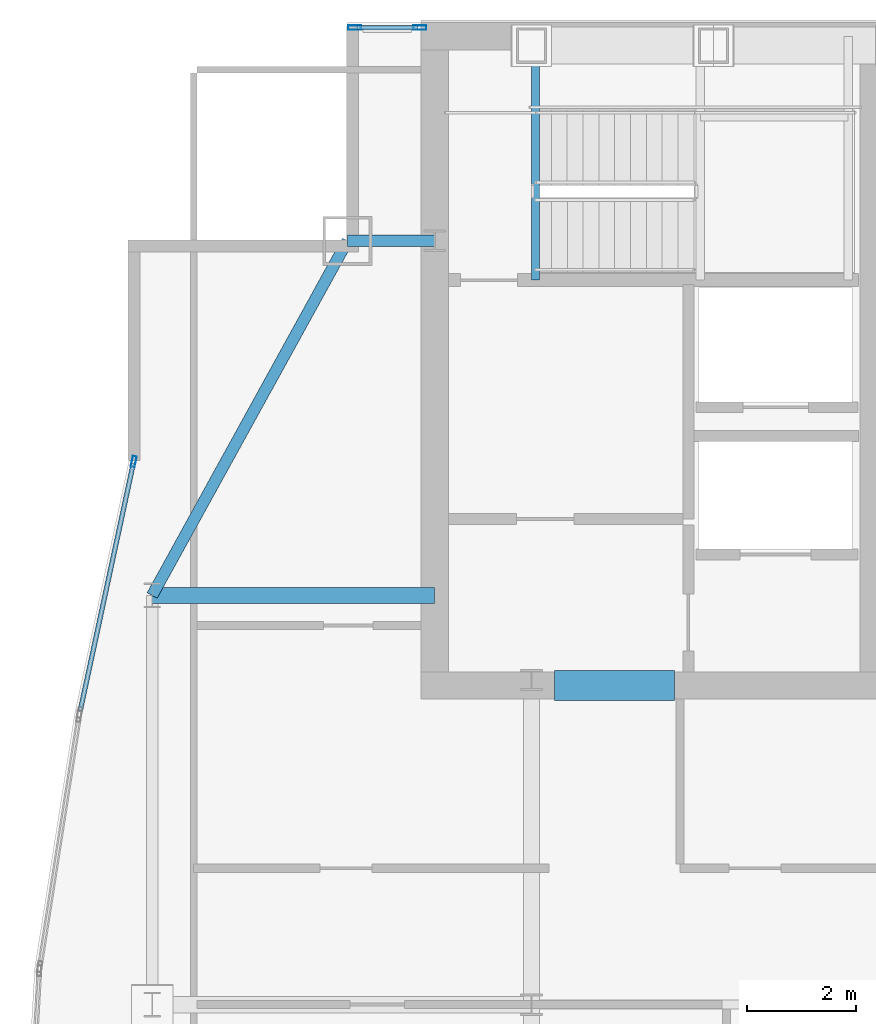
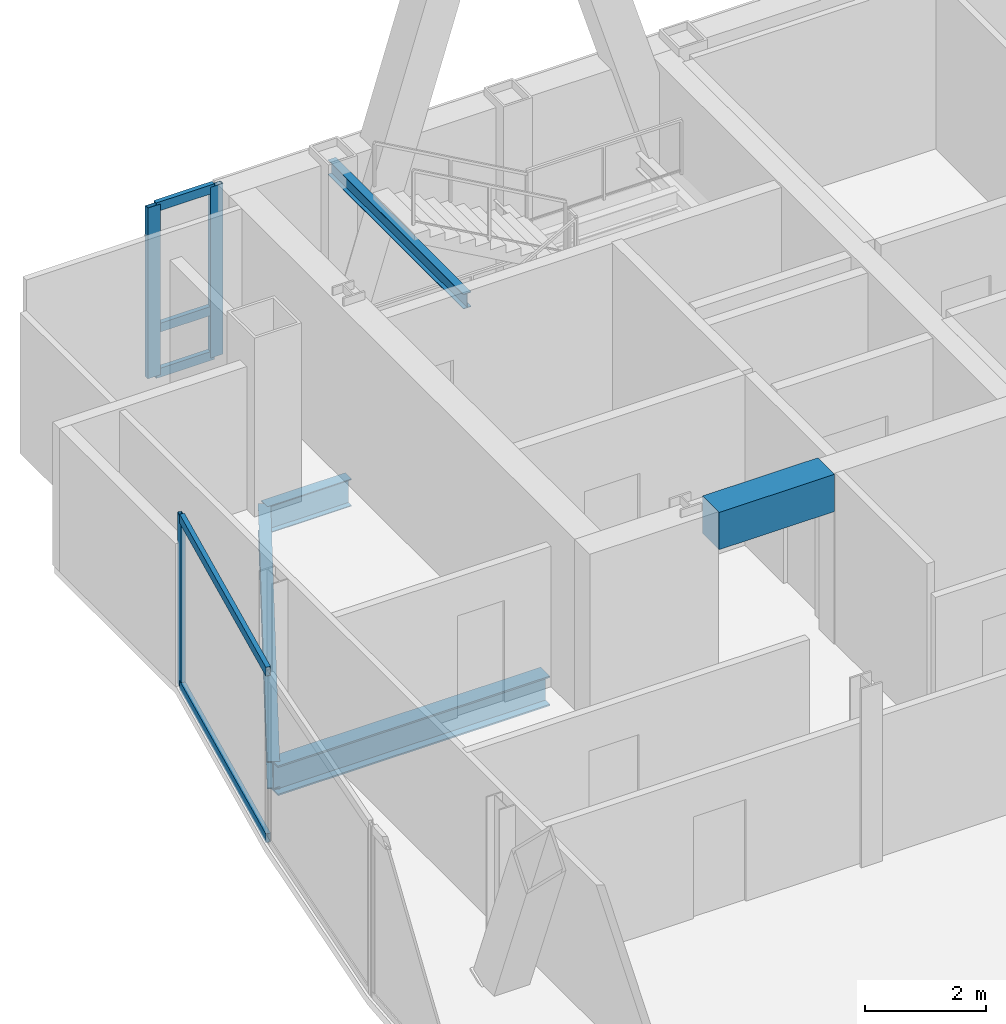
# One storey, part 20 of 29: 8 members, 5 beams, 2 elements without a shape of their own.
"""IFC4 building model written with IfcOpenShell, lengths in metres."""

from ifc_helpers import new_model, si_unit, direction, frame, origin, origin_2d, place, context, subcontext, project, spatial, rectangle, hollow_rectangle, i_section, extrude, material, material_profile, profile_set, type_object, element, aggregate, save


model = new_model("IFC4")

# Units and contexts
model_context = context("Model", 3, precision=1e-05, world=origin(), true_north=direction((0.0, 1.0)))
body_context = subcontext(model_context, "Body", "Model", "MODEL_VIEW")
ifc_project = project(units=[si_unit("LENGTHUNIT", "METRE"), si_unit("AREAUNIT", "SQUARE_METRE"), si_unit("VOLUMEUNIT", "CUBIC_METRE"), si_unit("PLANEANGLEUNIT", "RADIAN"), si_unit("MASSUNIT", "GRAM", prefix="KILO")], contexts=[model_context])

# Site, building, storey
site_placement = place(None, origin())
site = spatial("IfcSite", under=ifc_project, at=site_placement, CompositionType="ELEMENT")
building_placement = place(site_placement, origin())
building = spatial("IfcBuilding", under=site, at=building_placement, Name="Khoronbel Lancet Exchange", CompositionType="ELEMENT")
storey_placement = place(building_placement, frame((0.0, 0.0, 314.60009765625)))
storey = spatial("IfcBuildingStorey", under=building, at=storey_placement, Name="L81", CompositionType="ELEMENT", Elevation=314.60009765625)

# Beams
ifc_material_1 = material(Name="Steel S355", Category="steel")
ifc_material_profile_1 = material_profile(ifc_material_1, i_section(OverallWidth=0.300048828125, OverallDepth=0.60009765625, WebThickness=0.015380859375, FlangeThickness=0.030029296875, at=origin_2d()), Name="HEB 600")
ifc_profile_set_1 = profile_set([ifc_material_profile_1], Name="Steel S355")
beam_type_1 = type_object("IfcBeamType", Name="BM-BG5", PredefinedType="BEAM", material=ifc_profile_set_1)
beam_1_placement = place(storey_placement, frame((11.27001953125, 43.199951171875, -0.460205078125), z_axis=(1.0, 0.0, 0.0), x_axis=(0.0, 1.0, 0.0)))
element("IfcBeam", 1, at=beam_1_placement, inside=storey, type_object=beam_type_1, Name="Level L81 west lens tie girder LG3W", PredefinedType="BEAM", context=body_context, shape_type="SweptSolid", body=[
    extrude(i_section(OverallWidth=0.300048828125, OverallDepth=0.60009765625, WebThickness=0.015380859375, FlangeThickness=0.030029296875, at=origin_2d()), origin(), (0.0, 0.0, 1.0), 5.179931640625),
])
ifc_material_profile_2 = material_profile(ifc_material_1, i_section(OverallWidth=0.14990234375, OverallDepth=0.300048828125, WebThickness=0.007080078125, FlangeThickness=0.0107421875, at=origin_2d()), Name="IPE 300")
ifc_profile_set_2 = profile_set([ifc_material_profile_2], Name="Steel S355")
beam_type_2 = type_object("IfcBeamType", Name="BM-BJ8", PredefinedType="JOIST", material=ifc_profile_set_2)
beam_2_placement = place(storey_placement, frame((18.300048828125, 48.97998046875, 3.159912109375), z_axis=(0.0, 1.0, 0.0), x_axis=(-1.0, 0.0, 0.0)))
element("IfcBeam", 2, at=beam_2_placement, inside=storey, type_object=beam_type_2, Name="Level L81 stair ST1 upper-flight arrival trimmer beam", PredefinedType="JOIST", context=body_context, shape_type="SweptSolid", body=[
    extrude(i_section(OverallWidth=0.14990234375, OverallDepth=0.300048828125, WebThickness=0.007080078125, FlangeThickness=0.0107421875, at=origin_2d()), origin(), (0.0, 0.0, 1.0), 4.469970703125),
])
ifc_material_2 = material(Name="Concrete C60/75", Category="concrete")
ifc_material_profile_3 = material_profile(ifc_material_2, rectangle(XDim=0.550048828125, YDim=0.75, at=origin_2d()), Name="RC 550x750")
ifc_profile_set_3 = profile_set([ifc_material_profile_3], Name="Concrete C60/75")
beam_type_3 = type_object("IfcBeamType", Name="BM-BL2", PredefinedType="LINTEL", material=ifc_profile_set_3)
beam_3_placement = place(storey_placement, frame((18.64990234375, 41.550048828125, 3.06494140625), z_axis=(1.0, 0.0, 0.0), x_axis=(0.0, 1.0, 0.0)))
element("IfcBeam", 3, at=beam_3_placement, inside=storey, type_object=beam_type_3, Name="Level L81 rear core coupling lintel L1", PredefinedType="LINTEL", context=body_context, shape_type="SweptSolid", body=[
    extrude(rectangle(XDim=0.550048828125, YDim=0.75, at=origin_2d()), origin(), (0.0, 0.0, 1.0), 2.2001953125),
])
ifc_material_profile_4 = material_profile(ifc_material_1, i_section(OverallWidth=0.2099609375, OverallDepth=0.550048828125, WebThickness=0.010986328125, FlangeThickness=0.01708984375, at=origin_2d()), Name="IPE 550")
ifc_profile_set_4 = profile_set([ifc_material_profile_4], Name="Steel S355")
beam_type_4 = type_object("IfcBeamType", Name="BM-BSP3", PredefinedType="SPANDREL", material=ifc_profile_set_4)
beam_4_placement = place(storey_placement, frame((14.85009765625, 49.699951171875, -0.43505859375), z_axis=(-0.482444051088, -0.875926787791, 0.0), x_axis=(0.875926787791, -0.482444051088, 0.0)))
element("IfcBeam", 4, at=beam_4_placement, inside=storey, type_object=beam_type_4, Name="Level L81 perimeter spandrel beam SP13", PredefinedType="SPANDREL", context=body_context, shape_type="SweptSolid", body=[
    extrude(i_section(OverallWidth=0.2099609375, OverallDepth=0.550048828125, WebThickness=0.010986328125, FlangeThickness=0.01708984375, at=origin_2d()), origin(), (0.0, 0.0, 1.0), 7.420654296875),
])
beam_5_placement = place(storey_placement, frame((14.85009765625, 49.699951171875, -0.43505859375), z_axis=(1.0, 0.0, 0.0), x_axis=(0.0, 1.0, 0.0)))
element("IfcBeam", 5, at=beam_5_placement, inside=storey, type_object=beam_type_4, Name="Level L81 north flank tie spandrel SP19", PredefinedType="SPANDREL", context=body_context, shape_type="SweptSolid", body=[
    extrude(i_section(OverallWidth=0.2099609375, OverallDepth=0.550048828125, WebThickness=0.010986328125, FlangeThickness=0.01708984375, at=origin_2d()), origin(), (0.0, 0.0, 1.0), 1.599853515625),
])

# Curtain wall, members
ifc_material_3 = material(Name="Low-E Solar Control Insulating Glass", Category="glass")
curtain_wall_type_1 = type_object("IfcCurtainWallType", Name="CW-3", PredefinedType="NOTDEFINED", material=ifc_material_3)
curtain_wall_1_placement = place(storey_placement, origin())
curtain_wall_1 = element("IfcCurtainWall", 6, at=curtain_wall_1_placement, inside=storey, type_object=curtain_wall_type_1, Name="Unitised curtain wall CW-L81-NWFLK", PredefinedType="NOTDEFINED")
ifc_material_4 = material(Name="Bronze-Anodised Aluminium 6063-T6", Category="aluminium")
ifc_material_profile_5 = material_profile(ifc_material_4, hollow_rectangle(XDim=0.0849609375, YDim=0.239990234375, WallThickness=0.006103515625, at=origin_2d()), Name="ALU MULLION 85x240")
ifc_profile_set_5 = profile_set([ifc_material_profile_5], Name="Bronze-Anodised Aluminium 6063-T6")
member_type_1 = type_object("IfcMemberType", Name="MEM-CWM1", PredefinedType="MULLION", material=ifc_profile_set_5)
member_1_placement = place(storey_placement, frame((16.177490234375, 53.610107421875, 0.0), z_axis=(0.0, 0.0, 1.0), x_axis=(0.0, -1.0, 0.0)))
member_1 = element("IfcMember", 7, at=member_1_placement, type_object=member_type_1, Name="CW3 mullion 1", PredefinedType="MULLION", context=body_context, shape_type="SweptSolid", body=[
    extrude(hollow_rectangle(XDim=0.0849609375, YDim=0.239990234375, WallThickness=0.006103515625, at=origin_2d()), origin(), (0.0, 0.0, 1.0), 3.43994140625),
])
member_2_placement = place(storey_placement, frame((14.982421875, 53.610107421875, 0.0), z_axis=(0.0, 0.0, 1.0), x_axis=(0.0, -1.0, 0.0)))
member_2 = element("IfcMember", 8, at=member_2_placement, type_object=member_type_1, Name="CW3 mullion 2", PredefinedType="MULLION", context=body_context, shape_type="SweptSolid", body=[
    extrude(hollow_rectangle(XDim=0.0849609375, YDim=0.239990234375, WallThickness=0.006103515625, at=origin_2d()), origin(), (0.0, 0.0, 1.0), 3.43994140625),
])

curtain_wall_type_2 = type_object("IfcCurtainWallType", Name="CW-4", PredefinedType="NOTDEFINED", material=ifc_material_3)
curtain_wall_2_placement = place(storey_placement, origin())
curtain_wall_2 = element("IfcCurtainWall", 9, at=curtain_wall_2_placement, inside=storey, type_object=curtain_wall_type_2, Name="Unitised curtain wall CW-L81-E09", PredefinedType="NOTDEFINED")
ifc_material_profile_6 = material_profile(ifc_material_4, hollow_rectangle(XDim=0.074951171875, YDim=0.199951171875, WallThickness=0.0048828125, at=origin_2d()), Name="ALU MULLION 75x200")
ifc_profile_set_6 = profile_set([ifc_material_profile_6], Name="Bronze-Anodised Aluminium 6063-T6")
member_type_2 = type_object("IfcMemberType", Name="MEM-CWM2", PredefinedType="MULLION", material=ifc_profile_set_6)
member_3_placement = place(storey_placement, frame((10.93212890625, 45.65380859375, 0.0), z_axis=(0.0, 0.0, 1.0), x_axis=(-0.977746046147, 0.209791966588, 0.0)))
member_3 = element("IfcMember", 10, at=member_3_placement, type_object=member_type_2, Name="CW4 mullion 2", PredefinedType="MULLION", context=body_context, shape_type="SweptSolid", body=[
    extrude(hollow_rectangle(XDim=0.074951171875, YDim=0.199951171875, WallThickness=0.0048828125, at=origin_2d()), origin(), (0.0, 0.0, 1.0), 3.43994140625),
])
ifc_material_profile_7 = material_profile(ifc_material_4, hollow_rectangle(XDim=0.0849609375, YDim=0.179931640625, WallThickness=0.0048828125, at=origin_2d()), Name="ALU TRANSOM 85x180")
ifc_profile_set_7 = profile_set([ifc_material_profile_7], Name="Bronze-Anodised Aluminium 6063-T6")
member_type_3 = type_object("IfcMemberType", Name="MEM-CWT1", PredefinedType="USERDEFINED", material=ifc_profile_set_7)
member_4_placement = place(storey_placement, frame((9.952880859375, 41.09033203125, 0.04248046875), z_axis=(0.209817171671, 0.977740637629, 0.0), x_axis=(-0.977740637629, 0.209817171671, 0.0)))
member_4 = element("IfcMember", 11, at=member_4_placement, type_object=member_type_3, Name="CW4 transom 1.1", ObjectType="TRANSOM", PredefinedType="USERDEFINED", context=body_context, shape_type="SweptSolid", body=[
    extrude(hollow_rectangle(XDim=0.0849609375, YDim=0.179931640625, WallThickness=0.0048828125, at=origin_2d()), origin(), (0.0, 0.0, 1.0), 4.6298828125),
])
member_5_placement = place(storey_placement, frame((9.952880859375, 41.09033203125, 3.3974609375), z_axis=(0.209817171671, 0.977740637629, 0.0), x_axis=(-0.977740637629, 0.209817171671, 0.0)))
member_5 = element("IfcMember", 12, at=member_5_placement, type_object=member_type_3, Name="CW4 transom 1.2", ObjectType="TRANSOM", PredefinedType="USERDEFINED", context=body_context, shape_type="SweptSolid", body=[
    extrude(hollow_rectangle(XDim=0.0849609375, YDim=0.179931640625, WallThickness=0.0048828125, at=origin_2d()), origin(), (0.0, 0.0, 1.0), 4.6298828125),
])
aggregate(curtain_wall_2, [member_3, member_4, member_5])

# Member
member_6_placement = place(storey_placement, frame((16.135009765625, 53.610107421875, 0.04248046875), z_axis=(-1.0, 0.0, 0.0), x_axis=(0.0, -1.0, 0.0)))
member_6 = element("IfcMember", 13, at=member_6_placement, type_object=member_type_3, Name="CW3 transom 1.1", ObjectType="TRANSOM", PredefinedType="USERDEFINED", context=body_context, shape_type="SweptSolid", body=[
    extrude(hollow_rectangle(XDim=0.0849609375, YDim=0.179931640625, WallThickness=0.0048828125, at=origin_2d()), origin(), (0.0, 0.0, 1.0), 1.110107421875),
])

member_7_placement = place(storey_placement, frame((16.135009765625, 53.610107421875, 0.949951171875), z_axis=(-1.0, 0.0, 0.0), x_axis=(0.0, -1.0, 0.0)))
member_7 = element("IfcMember", 14, at=member_7_placement, type_object=member_type_3, Name="CW3 transom 1.2", ObjectType="TRANSOM", PredefinedType="USERDEFINED", context=body_context, shape_type="SweptSolid", body=[
    extrude(hollow_rectangle(XDim=0.0849609375, YDim=0.179931640625, WallThickness=0.0048828125, at=origin_2d()), origin(), (0.0, 0.0, 1.0), 1.110107421875),
])

member_8_placement = place(storey_placement, frame((16.135009765625, 53.610107421875, 3.3974609375), z_axis=(-1.0, 0.0, 0.0), x_axis=(0.0, -1.0, 0.0)))
member_8 = element("IfcMember", 15, at=member_8_placement, type_object=member_type_3, Name="CW3 transom 1.3", ObjectType="TRANSOM", PredefinedType="USERDEFINED", context=body_context, shape_type="SweptSolid", body=[
    extrude(hollow_rectangle(XDim=0.0849609375, YDim=0.179931640625, WallThickness=0.0048828125, at=origin_2d()), origin(), (0.0, 0.0, 1.0), 1.110107421875),
])

aggregate(curtain_wall_1, [member_1, member_2, member_6, member_7, member_8])

save(model, "model.ifc")
